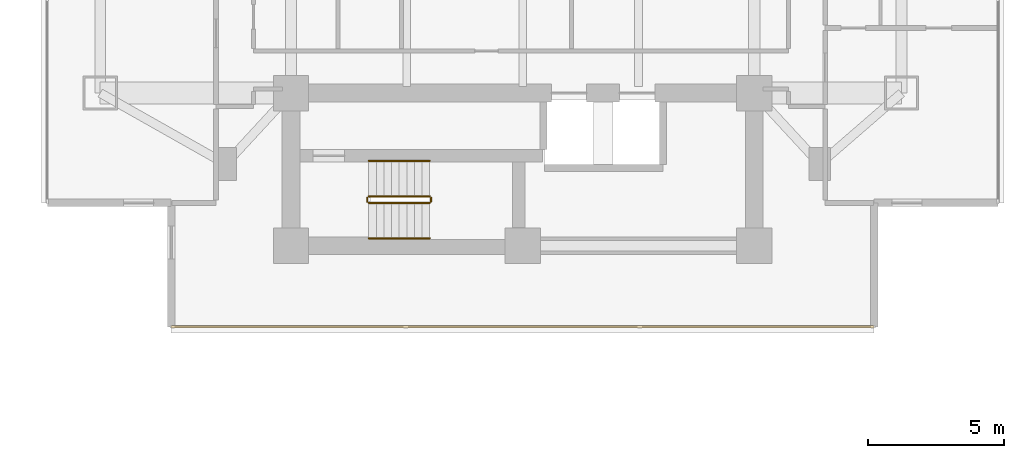
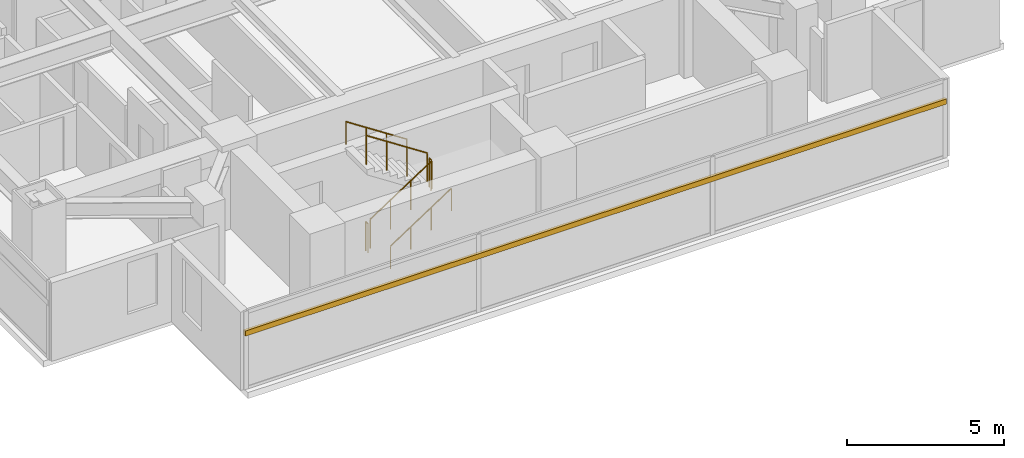
# One storey, part 25 of 27: 6 railings, 1 shading device.
"""IFC4 building model written with IfcOpenShell, lengths in metres."""

from ifc_helpers import new_model, si_unit, direction, frame, origin, origin_2d, place, context, subcontext, project, spatial, rectangle, circle, extrude, material, material_profile, profile_set, type_object, element, save


model = new_model("IFC4")

# Units and contexts
model_context = context("Model", 3, precision=1e-05, world=origin(), true_north=direction((0.0, 1.0)))
body_context = subcontext(model_context, "Body", "Model", "MODEL_VIEW")
ifc_project = project(units=[si_unit("LENGTHUNIT", "METRE"), si_unit("AREAUNIT", "SQUARE_METRE"), si_unit("VOLUMEUNIT", "CUBIC_METRE"), si_unit("PLANEANGLEUNIT", "RADIAN"), si_unit("MASSUNIT", "GRAM", prefix="KILO")], contexts=[model_context])

# Site, building, storey
site_placement = place(None, origin())
site = spatial("IfcSite", under=ifc_project, at=site_placement, CompositionType="ELEMENT")
building_placement = place(site_placement, origin())
building = spatial("IfcBuilding", under=site, at=building_placement, Name="Mirazonda Arch Towers", CompositionType="ELEMENT")
storey_placement = place(building_placement, frame((0.0, 0.0, 52.10009765625)))
storey = spatial("IfcBuildingStorey", under=building, at=storey_placement, Name="L14", CompositionType="ELEMENT", Elevation=52.10009765625)

# Shading device
ifc_material_1 = material(Name="Kiln-Fired Architectural Terracotta", Category="masonry")
ifc_material_profile = material_profile(ifc_material_1, rectangle(XDim=0.10009765625, YDim=0.199951171875, at=origin_2d()), Name="TERRA-BAG-100x200")
ifc_profile_set = profile_set([ifc_material_profile], Name="Kiln-Fired Architectural Terracotta")
shading_device_type = type_object("IfcShadingDeviceType", Name="BAGUETTE-2", PredefinedType="USERDEFINED", material=ifc_profile_set)
shading_device_placement = place(storey_placement, frame((89.39404296875, 12.22412109375, 2.188720703125), z_axis=(-1.0, 0.0, 0.0), x_axis=(0.0, -1.0, 0.0)))
element("IfcShadingDevice", 1, at=shading_device_placement, inside=storey, type_object=shading_device_type, Name="L14 Glazed Terracotta Sun-Screen Baguette CW-L14-T2-S", ObjectType="BAGUETTE", PredefinedType="USERDEFINED", context=body_context, shape_type="SweptSolid", body=[
    extrude(rectangle(XDim=0.10009765625, YDim=0.199951171875, at=origin_2d()), origin(), (0.0, 0.0, 1.0), 25.7880859375),
])

# Railings
ifc_material_2 = material(Name="Architectural Brushed Steel S355", Category="steel")
railing_type_1 = type_object("IfcRailingType", Name="GUARD-STAIR-1120", PredefinedType="GUARDRAIL", material=ifc_material_2)
railing_1_placement = place(storey_placement, frame((70.85009765625, 16.77001953125, 0.183349609375)))
element("IfcRailing", 2, at=railing_1_placement, inside=storey, type_object=railing_type_1, Name="L14 ST-T2S stair guard 1", PredefinedType="GUARDRAIL", context=body_context, shape_type="SweptSolid", body=[
    extrude(circle(Radius=0.02392578125, at=origin_2d()), frame((0.0, 0.0, 1.1259765625), z_axis=(0.836636935527, 0.0, 0.547757827979), x_axis=(0.0, 1.0, 0.0)), (0.0, 0.0, 1.0), 2.677490234375),
    extrude(circle(Radius=0.02099609375, at=origin_2d()), origin(), (0.0, 0.0, 1.0), 1.101806640625),
    extrude(circle(Radius=0.02099609375, at=origin_2d()), frame((0.74658203125, 0.0, 0.48876953125)), (0.0, 0.0, 1.0), 1.101806640625),
    extrude(circle(Radius=0.02099609375, at=origin_2d()), frame((1.493408203125, 0.0, 0.977783203125)), (0.0, 0.0, 1.0), 1.101806640625),
    extrude(circle(Radius=0.02099609375, at=origin_2d()), frame((2.239990234375, 0.0, 1.466552734375)), (0.0, 0.0, 1.0), 1.101806640625),
])
railing_2_placement = place(storey_placement, frame((73.139892578125, 16.820068359375, 1.64990234375)))
element("IfcRailing", 3, at=railing_2_placement, inside=storey, type_object=railing_type_1, Name="L14 ST-T2S stair guard 2", PredefinedType="GUARDRAIL", context=body_context, shape_type="SweptSolid", body=[
    extrude(circle(Radius=0.02392578125, at=origin_2d()), frame((0.0, 0.0, 1.1259765625), z_axis=(0.0, 1.0, 0.0), x_axis=(-1.0, 0.0, 0.0)), (0.0, 0.0, 1.0), 0.139892578125),
    extrude(circle(Radius=0.02099609375, at=origin_2d()), origin(), (0.0, 0.0, 1.0), 1.101806640625),
    extrude(circle(Radius=0.02099609375, at=origin_2d()), frame((0.0, 0.139892578125, 0.0)), (0.0, 0.0, 1.0), 1.101806640625),
])
railing_3_placement = place(storey_placement, frame((73.090087890625, 17.010009765625, 1.833251953125)))
element("IfcRailing", 4, at=railing_3_placement, inside=storey, type_object=railing_type_1, Name="L14 ST-T2S stair guard 3", PredefinedType="GUARDRAIL", context=body_context, shape_type="SweptSolid", body=[
    extrude(circle(Radius=0.02392578125, at=origin_2d()), frame((0.0, 0.0, 1.1259765625), z_axis=(-0.836636935527, 0.0, 0.547757827979), x_axis=(0.0, -1.0, 0.0)), (0.0, 0.0, 1.0), 2.677490234375),
    extrude(circle(Radius=0.02099609375, at=origin_2d()), origin(), (0.0, 0.0, 1.0), 1.101806640625),
    extrude(circle(Radius=0.02099609375, at=origin_2d()), frame((-0.74658203125, 0.0, 0.48876953125)), (0.0, 0.0, 1.0), 1.101806640625),
    extrude(circle(Radius=0.02099609375, at=origin_2d()), frame((-1.493408203125, 0.0, 0.977783203125)), (0.0, 0.0, 1.0), 1.101806640625),
    extrude(circle(Radius=0.02099609375, at=origin_2d()), frame((-2.239990234375, 0.0, 1.466552734375)), (0.0, 0.0, 1.0), 1.101806640625),
])
railing_4_placement = place(storey_placement, frame((70.800048828125, 16.820068359375, 0.0)))
element("IfcRailing", 5, at=railing_4_placement, inside=storey, type_object=railing_type_1, Name="L14 ST-T2S stair guard 4", PredefinedType="GUARDRAIL", context=body_context, shape_type="SweptSolid", body=[
    extrude(circle(Radius=0.02392578125, at=origin_2d()), frame((0.0, 0.0, 1.1259765625), z_axis=(0.0, 1.0, 0.0), x_axis=(-1.0, 0.0, 0.0)), (0.0, 0.0, 1.0), 0.139892578125),
    extrude(circle(Radius=0.02099609375, at=origin_2d()), origin(), (0.0, 0.0, 1.0), 1.101806640625),
    extrude(circle(Radius=0.02099609375, at=origin_2d()), frame((0.0, 0.139892578125, 0.0)), (0.0, 0.0, 1.0), 1.101806640625),
])
railing_type_2 = type_object("IfcRailingType", Name="HANDRAIL-915", PredefinedType="HANDRAIL", material=ifc_material_2)
railing_5_placement = place(storey_placement, frame((70.85009765625, 15.469970703125, 0.183349609375)))
element("IfcRailing", 6, at=railing_5_placement, inside=storey, type_object=railing_type_2, Name="L14 ST-T2S stair handrail 1", PredefinedType="HANDRAIL", context=body_context, shape_type="SweptSolid", body=[
    extrude(circle(Radius=0.02392578125, at=origin_2d()), frame((0.0, 0.0, 0.8759765625), z_axis=(0.836636935527, 0.0, 0.547757827979), x_axis=(0.0, 1.0, 0.0)), (0.0, 0.0, 1.0), 2.677490234375),
    extrude(circle(Radius=0.02099609375, at=origin_2d()), origin(), (0.0, 0.0, 1.0), 0.851806640625),
    extrude(circle(Radius=0.02099609375, at=origin_2d()), frame((0.74658203125, 0.0, 0.48876953125)), (0.0, 0.0, 1.0), 0.851806640625),
    extrude(circle(Radius=0.02099609375, at=origin_2d()), frame((1.493408203125, 0.0, 0.977783203125)), (0.0, 0.0, 1.0), 0.851806640625),
    extrude(circle(Radius=0.02099609375, at=origin_2d()), frame((2.239990234375, 0.0, 1.466552734375)), (0.0, 0.0, 1.0), 0.851806640625),
])
railing_6_placement = place(storey_placement, frame((73.090087890625, 18.31005859375, 1.833251953125)))
element("IfcRailing", 7, at=railing_6_placement, inside=storey, type_object=railing_type_2, Name="L14 ST-T2S stair handrail 2", PredefinedType="HANDRAIL", context=body_context, shape_type="SweptSolid", body=[
    extrude(circle(Radius=0.02392578125, at=origin_2d()), frame((0.0, 0.0, 0.8759765625), z_axis=(-0.836636935527, 0.0, 0.547757827979), x_axis=(0.0, -1.0, 0.0)), (0.0, 0.0, 1.0), 2.677490234375),
    extrude(circle(Radius=0.02099609375, at=origin_2d()), origin(), (0.0, 0.0, 1.0), 0.851806640625),
    extrude(circle(Radius=0.02099609375, at=origin_2d()), frame((-0.74658203125, 0.0, 0.48876953125)), (0.0, 0.0, 1.0), 0.851806640625),
    extrude(circle(Radius=0.02099609375, at=origin_2d()), frame((-1.493408203125, 0.0, 0.977783203125)), (0.0, 0.0, 1.0), 0.851806640625),
    extrude(circle(Radius=0.02099609375, at=origin_2d()), frame((-2.239990234375, 0.0, 1.466552734375)), (0.0, 0.0, 1.0), 0.851806640625),
])

save(model, "model.ifc")
